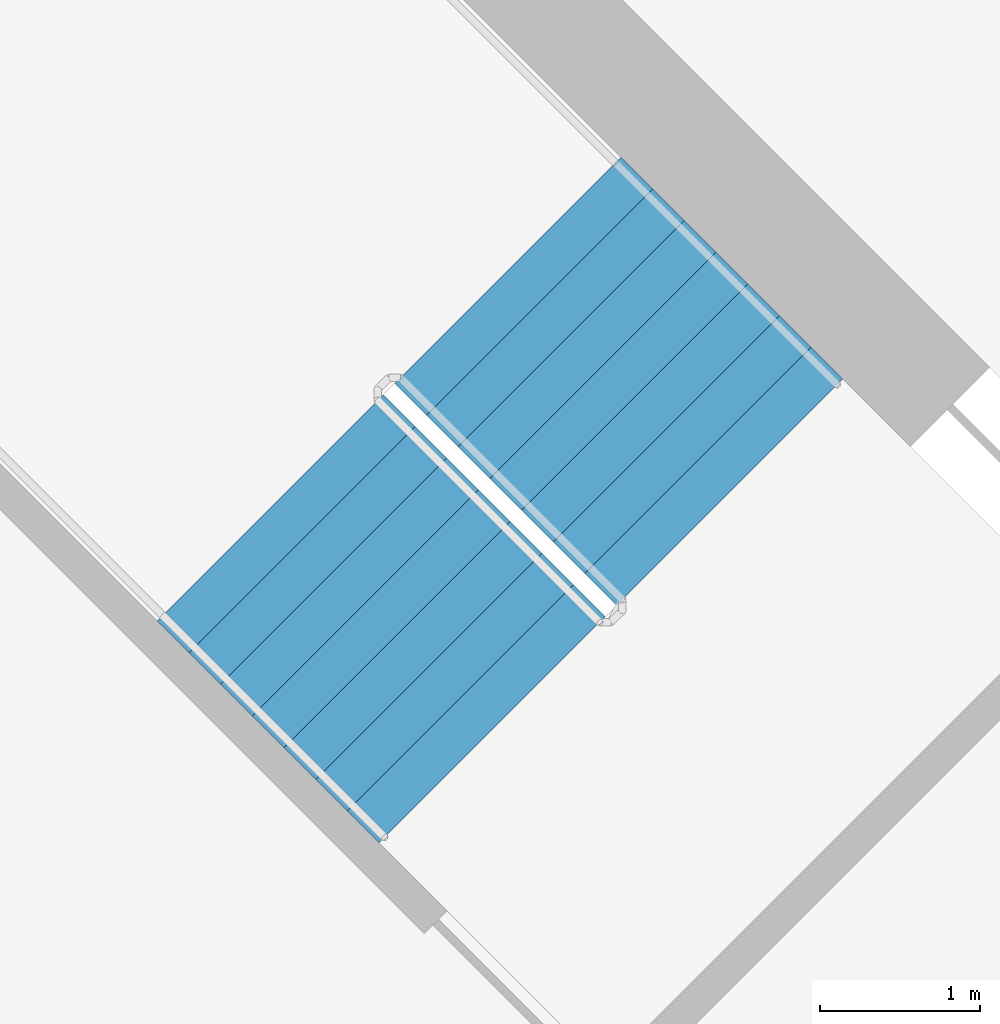
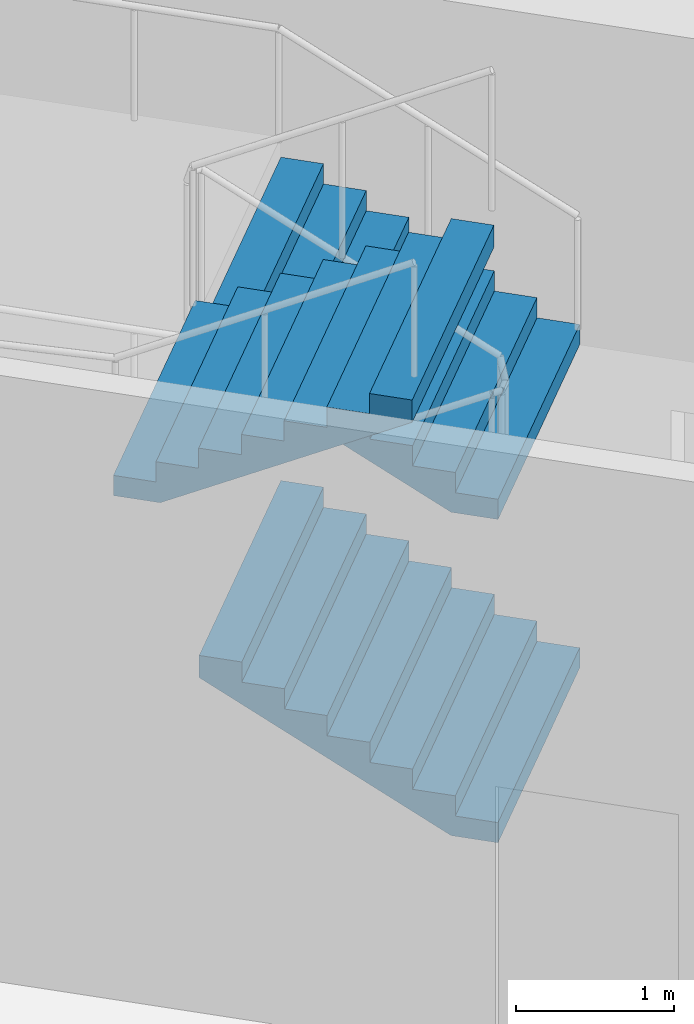
# One storey, part 15 of 17: 3 stair flights, 1 element without a shape of its own.
"""IFC4 building model written with IfcOpenShell, lengths in metres."""

from ifc_helpers import new_model, si_unit, direction, frame, origin, place, context, subcontext, project, spatial, triangles, material, type_object, element, aggregate, save


model = new_model("IFC4")

# Units and contexts
model_context = context("Model", 3, precision=1e-05, world=origin(), true_north=direction((0.0, 1.0)))
body_context = subcontext(model_context, "Body", "Model", "MODEL_VIEW")
ifc_project = project(units=[si_unit("LENGTHUNIT", "METRE"), si_unit("AREAUNIT", "SQUARE_METRE"), si_unit("VOLUMEUNIT", "CUBIC_METRE"), si_unit("PLANEANGLEUNIT", "RADIAN"), si_unit("MASSUNIT", "GRAM", prefix="KILO")], contexts=[model_context])

# Site, building, storey
site_placement = place(None, origin())
site = spatial("IfcSite", under=ifc_project, at=site_placement, CompositionType="ELEMENT")
building_placement = place(site_placement, origin())
building = spatial("IfcBuilding", under=site, at=building_placement, Name="Verdalira Terraces Hotel", CompositionType="ELEMENT")
storey_placement = place(building_placement, frame((0.0, 0.0, 128.0)))
storey = spatial("IfcBuildingStorey", under=building, at=storey_placement, Name="L30", CompositionType="ELEMENT", Elevation=128.0)

# Stair, stair flights
ifc_material_1 = material(Name="Concrete C40", Category="concrete")
stair_type = type_object("IfcStairType", Name="Core stair 32 risers 2000 mm wide", PredefinedType="HALF_TURN_STAIR", material=ifc_material_1)
stair_placement = place(storey_placement, origin())
stair = element("IfcStair", 1, at=stair_placement, inside=storey, type_object=stair_type, Name="L30 Exit stair ST1", PredefinedType="HALF_TURN_STAIR")
ifc_material_2 = material(Name="Concrete C40", Category="concrete")
stair_flight_type = type_object("IfcStairFlightType", Name="Core stair flight 32 risers 2000 mm wide", PredefinedType="STRAIGHT", material=ifc_material_2)
stair_flight_1_placement = place(storey_placement, frame((10.041016, 7.354004, 0.0), z_axis=(0.0, 0.0, 1.0), x_axis=(-0.707106781, 0.707106781, 0.0)))
stair_flight_1 = element("IfcStairFlight", 2, at=stair_flight_1_placement, type_object=stair_flight_type, Name="ST1 flight 1", NumberOfRisers=8, NumberOfTreads=7, PredefinedType="STRAIGHT", RiserHeight=0.15625, TreadLength=0.28, context=body_context, shape_type="Tessellation", body=[
    triangles([(0.0, 1.0, 0.0), (0.307617, 1.0, 0.0), (1.959961, 1.0, 0.922119), (0.0, -1.0, 0.0), (0.307617, -1.0, 0.0), (1.959961, -1.0, 0.922119), (1.959961, 1.0, 1.09375), (1.679932, 1.0, 1.09375), (1.959961, -1.0, 1.09375), (1.679932, -1.0, 1.09375), (1.679932, 1.0, 0.9375), (1.679932, -1.0, 0.9375), (1.399902, 1.0, 0.9375), (1.399902, -1.0, 0.9375), (1.399902, 1.0, 0.78125), (1.399902, -1.0, 0.78125), (1.120117, 1.0, 0.78125), (1.120117, 1.0, 0.625), (1.120117, -1.0, 0.78125), (1.120117, -1.0, 0.625), (0.840088, 1.0, 0.625), (0.840088, 1.0, 0.46875), (0.840088, -1.0, 0.625), (0.840088, -1.0, 0.46875), (0.560059, 1.0, 0.46875), (0.560059, 1.0, 0.3125), (0.560059, -1.0, 0.46875), (0.560059, -1.0, 0.3125), (0.280029, 1.0, 0.3125), (0.280029, 1.0, 0.15625), (0.280029, -1.0, 0.3125), (0.280029, -1.0, 0.15625), (0.0, 1.0, 0.15625), (0.0, -1.0, 0.15625), (0.0, -0.9375, 0.0), (0.0, -0.9375, 0.15625), (0.0, -0.875, 0.0), (0.0, -0.875, 0.15625), (0.0, -0.8125, 0.0), (0.0, -0.8125, 0.15625), (0.0, -0.75, 0.0), (0.0, -0.75, 0.15625), (0.0, -0.6875, 0.0), (0.0, -0.6875, 0.15625), (0.0, -0.625, 0.0), (0.0, -0.625, 0.15625), (0.0, -0.5625, 0.0), (0.0, -0.5625, 0.15625), (0.0, -0.5, 0.0), (0.0, -0.5, 0.15625), (0.0, -0.4375, 0.0), (0.0, -0.4375, 0.15625), (0.0, -0.375, 0.0), (0.0, -0.375, 0.15625), (0.0, -0.3125, 0.0), (0.0, -0.3125, 0.15625), (0.0, -0.25, 0.0), (0.0, -0.25, 0.15625), (0.0, -0.1875, 0.0), (0.0, -0.1875, 0.15625), (0.0, -0.125, 0.0), (0.0, -0.125, 0.15625), (0.0, -0.0625, 0.0), (0.0, -0.0625, 0.15625), (0.0, 0.0, 0.0), (0.0, 0.0, 0.15625), (0.0, 0.0625, 0.0), (0.0, 0.0625, 0.15625), (0.0, 0.125, 0.0), (0.0, 0.125, 0.15625), (0.0, 0.1875, 0.0), (0.0, 0.1875, 0.15625), (0.0, 0.25, 0.0), (0.0, 0.25, 0.15625), (0.0, 0.3125, 0.0), (0.0, 0.3125, 0.15625), (0.0, 0.375, 0.0), (0.0, 0.375, 0.15625), (0.0, 0.4375, 0.0), (0.0, 0.4375, 0.15625), (0.0, 0.5, 0.0), (0.0, 0.5, 0.15625), (0.0, 0.5625, 0.0), (0.0, 0.5625, 0.15625), (0.0, 0.625, 0.0), (0.0, 0.625, 0.15625), (0.0, 0.6875, 0.0), (0.0, 0.6875, 0.15625), (0.0, 0.75, 0.0), (0.0, 0.75, 0.15625), (0.0, 0.8125, 0.0), (0.0, 0.8125, 0.15625), (0.0, 0.875, 0.0), (0.0, 0.875, 0.15625), (0.0, 0.9375, 0.0), (0.0, 0.9375, 0.15625), (1.959961, -0.9375, 1.09375), (1.959961, -0.875, 1.09375), (1.959961, -0.8125, 1.09375), (1.959961, -0.75, 1.09375), (1.959961, -0.6875, 1.09375), (1.959961, -0.625, 1.09375), (1.959961, -0.5625, 1.09375), (1.959961, -0.5, 1.09375), (1.959961, -0.4375, 1.09375), (1.959961, -0.375, 1.09375), (1.959961, -0.3125, 1.09375), (1.959961, -0.25, 1.09375), (1.959961, -0.1875, 1.09375), (1.959961, -0.125, 1.09375), (1.959961, -0.0625, 1.09375), (1.959961, 0.0, 1.09375), (1.959961, 0.0625, 1.09375), (1.959961, 0.125, 1.09375), (1.959961, 0.1875, 1.09375), (1.959961, 0.25, 1.09375), (1.959961, 0.3125, 1.09375), (1.959961, 0.375, 1.09375), (1.959961, 0.4375, 1.09375), (1.959961, 0.5, 1.09375), (1.959961, 0.5625, 1.09375), (1.959961, 0.625, 1.09375), (1.959961, 0.6875, 1.09375), (1.959961, 0.75, 1.09375), (1.959961, 0.8125, 1.09375), (1.959961, 0.875, 1.09375), (1.959961, 0.9375, 1.09375), (1.959961, -0.9375, 0.922119), (1.959961, -0.875, 0.922119), (1.959961, -0.8125, 0.922119), (1.959961, -0.75, 0.922119), (1.959961, -0.6875, 0.922119), (1.959961, -0.625, 0.922119), (1.959961, -0.5625, 0.922119), (1.959961, -0.5, 0.922119), (1.959961, -0.4375, 0.922119), (1.959961, -0.375, 0.922119), (1.959961, -0.3125, 0.922119), (1.959961, -0.25, 0.922119), (1.959961, -0.1875, 0.922119), (1.959961, -0.125, 0.922119), (1.959961, -0.0625, 0.922119), (1.959961, 0.0, 0.922119), (1.959961, 0.0625, 0.922119), (1.959961, 0.125, 0.922119), (1.959961, 0.1875, 0.922119), (1.959961, 0.25, 0.922119), (1.959961, 0.3125, 0.922119), (1.959961, 0.375, 0.922119), (1.959961, 0.4375, 0.922119), (1.959961, 0.5, 0.922119), (1.959961, 0.5625, 0.922119), (1.959961, 0.625, 0.922119), (1.959961, 0.6875, 0.922119), (1.959961, 0.75, 0.922119), (1.959961, 0.8125, 0.922119), (1.959961, 0.875, 0.922119), (1.959961, 0.9375, 0.922119)], [[1, 3, 2], [4, 5, 6], [3, 8, 7], [6, 9, 10], [3, 11, 8], [6, 10, 12], [3, 13, 11], [6, 12, 14], [3, 15, 13], [6, 14, 16], [15, 18, 17], [16, 19, 20], [3, 18, 15], [6, 16, 20], [18, 22, 21], [20, 23, 24], [3, 22, 18], [6, 20, 24], [22, 26, 25], [24, 27, 28], [3, 26, 22], [6, 24, 28], [26, 30, 29], [28, 31, 32], [3, 30, 26], [6, 28, 32], [1, 30, 3], [4, 6, 32], [30, 1, 33], [32, 34, 4], [4, 36, 35], [4, 34, 36], [35, 38, 37], [35, 36, 38], [37, 40, 39], [37, 38, 40], [39, 42, 41], [39, 40, 42], [41, 44, 43], [41, 42, 44], [43, 46, 45], [43, 44, 46], [45, 48, 47], [45, 46, 48], [47, 50, 49], [47, 48, 50], [49, 52, 51], [49, 50, 52], [51, 54, 53], [51, 52, 54], [53, 56, 55], [53, 54, 56], [55, 58, 57], [55, 56, 58], [57, 60, 59], [57, 58, 60], [59, 62, 61], [59, 60, 62], [61, 64, 63], [61, 62, 64], [63, 66, 65], [63, 64, 66], [65, 68, 67], [65, 66, 68], [67, 70, 69], [67, 68, 70], [69, 72, 71], [69, 70, 72], [71, 74, 73], [71, 72, 74], [73, 76, 75], [73, 74, 76], [75, 78, 77], [75, 76, 78], [77, 80, 79], [77, 78, 80], [79, 82, 81], [79, 80, 82], [81, 84, 83], [81, 82, 84], [83, 86, 85], [83, 84, 86], [85, 88, 87], [85, 86, 88], [87, 90, 89], [87, 88, 90], [89, 92, 91], [89, 90, 92], [91, 94, 93], [91, 92, 94], [93, 96, 95], [93, 94, 96], [95, 33, 1], [95, 96, 33], [34, 32, 36], [36, 32, 38], [38, 32, 40], [40, 32, 42], [42, 32, 44], [44, 32, 46], [46, 32, 48], [48, 32, 50], [50, 32, 52], [52, 32, 54], [54, 32, 56], [56, 32, 58], [58, 32, 60], [60, 32, 62], [62, 32, 64], [64, 32, 66], [66, 32, 68], [68, 32, 70], [70, 32, 72], [72, 32, 74], [74, 32, 76], [76, 32, 78], [78, 32, 80], [80, 32, 82], [82, 32, 84], [84, 32, 86], [86, 32, 88], [88, 32, 90], [90, 32, 92], [92, 32, 94], [94, 32, 96], [96, 32, 33], [33, 32, 30], [32, 29, 30], [32, 31, 29], [31, 26, 29], [31, 28, 26], [28, 25, 26], [28, 27, 25], [27, 22, 25], [27, 24, 22], [24, 21, 22], [24, 23, 21], [23, 18, 21], [23, 20, 18], [20, 17, 18], [20, 19, 17], [19, 15, 17], [19, 16, 15], [16, 13, 15], [16, 14, 13], [14, 11, 13], [14, 12, 11], [12, 8, 11], [12, 10, 8], [9, 97, 10], [97, 98, 10], [98, 99, 10], [99, 100, 10], [100, 101, 10], [101, 102, 10], [102, 103, 10], [103, 104, 10], [104, 105, 10], [105, 106, 10], [106, 107, 10], [107, 108, 10], [108, 109, 10], [109, 110, 10], [110, 111, 10], [111, 112, 10], [112, 113, 10], [113, 114, 10], [114, 115, 10], [115, 116, 10], [116, 117, 10], [117, 118, 10], [118, 119, 10], [119, 120, 10], [120, 121, 10], [121, 122, 10], [122, 123, 10], [123, 124, 10], [124, 125, 10], [125, 126, 10], [126, 127, 10], [127, 7, 10], [7, 8, 10], [9, 128, 97], [9, 6, 128], [97, 129, 98], [97, 128, 129], [98, 130, 99], [98, 129, 130], [99, 131, 100], [99, 130, 131], [100, 132, 101], [100, 131, 132], [101, 133, 102], [101, 132, 133], [102, 134, 103], [102, 133, 134], [103, 135, 104], [103, 134, 135], [104, 136, 105], [104, 135, 136], [105, 137, 106], [105, 136, 137], [106, 138, 107], [106, 137, 138], [107, 139, 108], [107, 138, 139], [108, 140, 109], [108, 139, 140], [109, 141, 110], [109, 140, 141], [110, 142, 111], [110, 141, 142], [111, 143, 112], [111, 142, 143], [112, 144, 113], [112, 143, 144], [113, 145, 114], [113, 144, 145], [114, 146, 115], [114, 145, 146], [115, 147, 116], [115, 146, 147], [116, 148, 117], [116, 147, 148], [117, 149, 118], [117, 148, 149], [118, 150, 119], [118, 149, 150], [119, 151, 120], [119, 150, 151], [120, 152, 121], [120, 151, 152], [121, 153, 122], [121, 152, 153], [122, 154, 123], [122, 153, 154], [123, 155, 124], [123, 154, 155], [124, 156, 125], [124, 155, 156], [125, 157, 126], [125, 156, 157], [126, 158, 127], [126, 157, 158], [127, 3, 7], [127, 158, 3], [6, 5, 128], [128, 5, 129], [129, 5, 130], [130, 5, 131], [131, 5, 132], [132, 5, 133], [133, 5, 134], [134, 5, 135], [135, 5, 136], [136, 5, 137], [137, 5, 138], [138, 5, 139], [139, 5, 140], [140, 5, 141], [141, 5, 142], [142, 5, 143], [143, 5, 144], [144, 5, 145], [145, 5, 146], [146, 5, 147], [147, 5, 148], [148, 5, 149], [149, 5, 150], [150, 5, 151], [151, 5, 152], [152, 5, 153], [153, 5, 154], [154, 5, 155], [155, 5, 156], [156, 5, 157], [157, 5, 158], [158, 5, 3], [3, 5, 2], [4, 35, 5], [35, 37, 5], [37, 39, 5], [39, 41, 5], [41, 43, 5], [43, 45, 5], [45, 47, 5], [47, 49, 5], [49, 51, 5], [51, 53, 5], [53, 55, 5], [55, 57, 5], [57, 59, 5], [59, 61, 5], [61, 63, 5], [63, 65, 5], [65, 67, 5], [67, 69, 5], [69, 71, 5], [71, 73, 5], [73, 75, 5], [75, 77, 5], [77, 79, 5], [79, 81, 5], [81, 83, 5], [83, 85, 5], [85, 87, 5], [87, 89, 5], [89, 91, 5], [91, 93, 5], [93, 95, 5], [95, 1, 5], [1, 2, 5]], closed=True),
])
stair_flight_2_placement = place(storey_placement, frame((10.041016, 7.354004, 2.5), z_axis=(0.0, 0.0, 1.0), x_axis=(-0.707106781, 0.707106781, 0.0)))
stair_flight_2 = element("IfcStairFlight", 3, at=stair_flight_2_placement, type_object=stair_flight_type, Name="ST1 flight 3", NumberOfRisers=8, NumberOfTreads=7, PredefinedType="STRAIGHT", RiserHeight=0.15625, TreadLength=0.28, context=body_context, shape_type="Tessellation", body=[
    triangles([(0.0, 1.0, 0.0), (0.307617, 1.0, 0.0), (1.959961, 1.0, 0.922119), (0.0, -1.0, 0.0), (0.307617, -1.0, 0.0), (1.959961, -1.0, 0.922119), (1.959961, 1.0, 1.09375), (1.679932, 1.0, 1.09375), (1.959961, -1.0, 1.09375), (1.679932, -1.0, 1.09375), (1.679932, 1.0, 0.9375), (1.679932, -1.0, 0.9375), (1.399902, 1.0, 0.9375), (1.399902, -1.0, 0.9375), (1.399902, 1.0, 0.78125), (1.399902, -1.0, 0.78125), (1.120117, 1.0, 0.78125), (1.120117, 1.0, 0.625), (1.120117, -1.0, 0.78125), (1.120117, -1.0, 0.625), (0.840088, 1.0, 0.625), (0.840088, 1.0, 0.46875), (0.840088, -1.0, 0.625), (0.840088, -1.0, 0.46875), (0.560059, 1.0, 0.46875), (0.560059, 1.0, 0.3125), (0.560059, -1.0, 0.46875), (0.560059, -1.0, 0.3125), (0.280029, 1.0, 0.3125), (0.280029, 1.0, 0.15625), (0.280029, -1.0, 0.3125), (0.280029, -1.0, 0.15625), (0.0, 1.0, 0.15625), (0.0, -1.0, 0.15625), (0.0, -0.9375, 0.0), (0.0, -0.9375, 0.15625), (0.0, -0.875, 0.0), (0.0, -0.875, 0.15625), (0.0, -0.8125, 0.0), (0.0, -0.8125, 0.15625), (0.0, -0.75, 0.0), (0.0, -0.75, 0.15625), (0.0, -0.6875, 0.0), (0.0, -0.6875, 0.15625), (0.0, -0.625, 0.0), (0.0, -0.625, 0.15625), (0.0, -0.5625, 0.0), (0.0, -0.5625, 0.15625), (0.0, -0.5, 0.0), (0.0, -0.5, 0.15625), (0.0, -0.4375, 0.0), (0.0, -0.4375, 0.15625), (0.0, -0.375, 0.0), (0.0, -0.375, 0.15625), (0.0, -0.3125, 0.0), (0.0, -0.3125, 0.15625), (0.0, -0.25, 0.0), (0.0, -0.25, 0.15625), (0.0, -0.1875, 0.0), (0.0, -0.1875, 0.15625), (0.0, -0.125, 0.0), (0.0, -0.125, 0.15625), (0.0, -0.0625, 0.0), (0.0, -0.0625, 0.15625), (0.0, 0.0, 0.0), (0.0, 0.0, 0.15625), (0.0, 0.0625, 0.0), (0.0, 0.0625, 0.15625), (0.0, 0.125, 0.0), (0.0, 0.125, 0.15625), (0.0, 0.1875, 0.0), (0.0, 0.1875, 0.15625), (0.0, 0.25, 0.0), (0.0, 0.25, 0.15625), (0.0, 0.3125, 0.0), (0.0, 0.3125, 0.15625), (0.0, 0.375, 0.0), (0.0, 0.375, 0.15625), (0.0, 0.4375, 0.0), (0.0, 0.4375, 0.15625), (0.0, 0.5, 0.0), (0.0, 0.5, 0.15625), (0.0, 0.5625, 0.0), (0.0, 0.5625, 0.15625), (0.0, 0.625, 0.0), (0.0, 0.625, 0.15625), (0.0, 0.6875, 0.0), (0.0, 0.6875, 0.15625), (0.0, 0.75, 0.0), (0.0, 0.75, 0.15625), (0.0, 0.8125, 0.0), (0.0, 0.8125, 0.15625), (0.0, 0.875, 0.0), (0.0, 0.875, 0.15625), (0.0, 0.9375, 0.0), (0.0, 0.9375, 0.15625), (1.959961, -0.9375, 1.09375), (1.959961, -0.875, 1.09375), (1.959961, -0.8125, 1.09375), (1.959961, -0.75, 1.09375), (1.959961, -0.6875, 1.09375), (1.959961, -0.625, 1.09375), (1.959961, -0.5625, 1.09375), (1.959961, -0.5, 1.09375), (1.959961, -0.4375, 1.09375), (1.959961, -0.375, 1.09375), (1.959961, -0.3125, 1.09375), (1.959961, -0.25, 1.09375), (1.959961, -0.1875, 1.09375), (1.959961, -0.125, 1.09375), (1.959961, -0.0625, 1.09375), (1.959961, 0.0, 1.09375), (1.959961, 0.0625, 1.09375), (1.959961, 0.125, 1.09375), (1.959961, 0.1875, 1.09375), (1.959961, 0.25, 1.09375), (1.959961, 0.3125, 1.09375), (1.959961, 0.375, 1.09375), (1.959961, 0.4375, 1.09375), (1.959961, 0.5, 1.09375), (1.959961, 0.5625, 1.09375), (1.959961, 0.625, 1.09375), (1.959961, 0.6875, 1.09375), (1.959961, 0.75, 1.09375), (1.959961, 0.8125, 1.09375), (1.959961, 0.875, 1.09375), (1.959961, 0.9375, 1.09375), (1.959961, -0.9375, 0.922119), (1.959961, -0.875, 0.922119), (1.959961, -0.8125, 0.922119), (1.959961, -0.75, 0.922119), (1.959961, -0.6875, 0.922119), (1.959961, -0.625, 0.922119), (1.959961, -0.5625, 0.922119), (1.959961, -0.5, 0.922119), (1.959961, -0.4375, 0.922119), (1.959961, -0.375, 0.922119), (1.959961, -0.3125, 0.922119), (1.959961, -0.25, 0.922119), (1.959961, -0.1875, 0.922119), (1.959961, -0.125, 0.922119), (1.959961, -0.0625, 0.922119), (1.959961, 0.0, 0.922119), (1.959961, 0.0625, 0.922119), (1.959961, 0.125, 0.922119), (1.959961, 0.1875, 0.922119), (1.959961, 0.25, 0.922119), (1.959961, 0.3125, 0.922119), (1.959961, 0.375, 0.922119), (1.959961, 0.4375, 0.922119), (1.959961, 0.5, 0.922119), (1.959961, 0.5625, 0.922119), (1.959961, 0.625, 0.922119), (1.959961, 0.6875, 0.922119), (1.959961, 0.75, 0.922119), (1.959961, 0.8125, 0.922119), (1.959961, 0.875, 0.922119), (1.959961, 0.9375, 0.922119)], [[1, 3, 2], [4, 5, 6], [3, 8, 7], [6, 9, 10], [3, 11, 8], [6, 10, 12], [3, 13, 11], [6, 12, 14], [3, 15, 13], [6, 14, 16], [15, 18, 17], [16, 19, 20], [3, 18, 15], [6, 16, 20], [18, 22, 21], [20, 23, 24], [3, 22, 18], [6, 20, 24], [22, 26, 25], [24, 27, 28], [3, 26, 22], [6, 24, 28], [26, 30, 29], [28, 31, 32], [3, 30, 26], [6, 28, 32], [1, 30, 3], [4, 6, 32], [30, 1, 33], [32, 34, 4], [4, 36, 35], [4, 34, 36], [35, 38, 37], [35, 36, 38], [37, 40, 39], [37, 38, 40], [39, 42, 41], [39, 40, 42], [41, 44, 43], [41, 42, 44], [43, 46, 45], [43, 44, 46], [45, 48, 47], [45, 46, 48], [47, 50, 49], [47, 48, 50], [49, 52, 51], [49, 50, 52], [51, 54, 53], [51, 52, 54], [53, 56, 55], [53, 54, 56], [55, 58, 57], [55, 56, 58], [57, 60, 59], [57, 58, 60], [59, 62, 61], [59, 60, 62], [61, 64, 63], [61, 62, 64], [63, 66, 65], [63, 64, 66], [65, 68, 67], [65, 66, 68], [67, 70, 69], [67, 68, 70], [69, 72, 71], [69, 70, 72], [71, 74, 73], [71, 72, 74], [73, 76, 75], [73, 74, 76], [75, 78, 77], [75, 76, 78], [77, 80, 79], [77, 78, 80], [79, 82, 81], [79, 80, 82], [81, 84, 83], [81, 82, 84], [83, 86, 85], [83, 84, 86], [85, 88, 87], [85, 86, 88], [87, 90, 89], [87, 88, 90], [89, 92, 91], [89, 90, 92], [91, 94, 93], [91, 92, 94], [93, 96, 95], [93, 94, 96], [95, 33, 1], [95, 96, 33], [34, 32, 36], [36, 32, 38], [38, 32, 40], [40, 32, 42], [42, 32, 44], [44, 32, 46], [46, 32, 48], [48, 32, 50], [50, 32, 52], [52, 32, 54], [54, 32, 56], [56, 32, 58], [58, 32, 60], [60, 32, 62], [62, 32, 64], [64, 32, 66], [66, 32, 68], [68, 32, 70], [70, 32, 72], [72, 32, 74], [74, 32, 76], [76, 32, 78], [78, 32, 80], [80, 32, 82], [82, 32, 84], [84, 32, 86], [86, 32, 88], [88, 32, 90], [90, 32, 92], [92, 32, 94], [94, 32, 96], [96, 32, 33], [33, 32, 30], [32, 29, 30], [32, 31, 29], [31, 26, 29], [31, 28, 26], [28, 25, 26], [28, 27, 25], [27, 22, 25], [27, 24, 22], [24, 21, 22], [24, 23, 21], [23, 18, 21], [23, 20, 18], [20, 17, 18], [20, 19, 17], [19, 15, 17], [19, 16, 15], [16, 13, 15], [16, 14, 13], [14, 11, 13], [14, 12, 11], [12, 8, 11], [12, 10, 8], [9, 97, 10], [97, 98, 10], [98, 99, 10], [99, 100, 10], [100, 101, 10], [101, 102, 10], [102, 103, 10], [103, 104, 10], [104, 105, 10], [105, 106, 10], [106, 107, 10], [107, 108, 10], [108, 109, 10], [109, 110, 10], [110, 111, 10], [111, 112, 10], [112, 113, 10], [113, 114, 10], [114, 115, 10], [115, 116, 10], [116, 117, 10], [117, 118, 10], [118, 119, 10], [119, 120, 10], [120, 121, 10], [121, 122, 10], [122, 123, 10], [123, 124, 10], [124, 125, 10], [125, 126, 10], [126, 127, 10], [127, 7, 10], [7, 8, 10], [9, 128, 97], [9, 6, 128], [97, 129, 98], [97, 128, 129], [98, 130, 99], [98, 129, 130], [99, 131, 100], [99, 130, 131], [100, 132, 101], [100, 131, 132], [101, 133, 102], [101, 132, 133], [102, 134, 103], [102, 133, 134], [103, 135, 104], [103, 134, 135], [104, 136, 105], [104, 135, 136], [105, 137, 106], [105, 136, 137], [106, 138, 107], [106, 137, 138], [107, 139, 108], [107, 138, 139], [108, 140, 109], [108, 139, 140], [109, 141, 110], [109, 140, 141], [110, 142, 111], [110, 141, 142], [111, 143, 112], [111, 142, 143], [112, 144, 113], [112, 143, 144], [113, 145, 114], [113, 144, 145], [114, 146, 115], [114, 145, 146], [115, 147, 116], [115, 146, 147], [116, 148, 117], [116, 147, 148], [117, 149, 118], [117, 148, 149], [118, 150, 119], [118, 149, 150], [119, 151, 120], [119, 150, 151], [120, 152, 121], [120, 151, 152], [121, 153, 122], [121, 152, 153], [122, 154, 123], [122, 153, 154], [123, 155, 124], [123, 154, 155], [124, 156, 125], [124, 155, 156], [125, 157, 126], [125, 156, 157], [126, 158, 127], [126, 157, 158], [127, 3, 7], [127, 158, 3], [6, 5, 128], [128, 5, 129], [129, 5, 130], [130, 5, 131], [131, 5, 132], [132, 5, 133], [133, 5, 134], [134, 5, 135], [135, 5, 136], [136, 5, 137], [137, 5, 138], [138, 5, 139], [139, 5, 140], [140, 5, 141], [141, 5, 142], [142, 5, 143], [143, 5, 144], [144, 5, 145], [145, 5, 146], [146, 5, 147], [147, 5, 148], [148, 5, 149], [149, 5, 150], [150, 5, 151], [151, 5, 152], [152, 5, 153], [153, 5, 154], [154, 5, 155], [155, 5, 156], [156, 5, 157], [157, 5, 158], [158, 5, 3], [3, 5, 2], [4, 35, 5], [35, 37, 5], [37, 39, 5], [39, 41, 5], [41, 43, 5], [43, 45, 5], [45, 47, 5], [47, 49, 5], [49, 51, 5], [51, 53, 5], [53, 55, 5], [55, 57, 5], [57, 59, 5], [59, 61, 5], [61, 63, 5], [63, 65, 5], [65, 67, 5], [67, 69, 5], [69, 71, 5], [71, 73, 5], [73, 75, 5], [75, 77, 5], [77, 79, 5], [79, 81, 5], [81, 83, 5], [83, 85, 5], [85, 87, 5], [87, 89, 5], [89, 91, 5], [91, 93, 5], [93, 95, 5], [95, 1, 5], [1, 2, 5]], closed=True),
])
stair_flight_3_placement = place(storey_placement, frame((7.170166, 7.254883, 3.75), z_axis=(0.0, 0.0, 1.0), x_axis=(0.707106781, -0.707106781, 0.0)))
stair_flight_3 = element("IfcStairFlight", 4, at=stair_flight_3_placement, type_object=stair_flight_type, Name="ST1 flight 4", NumberOfRisers=8, NumberOfTreads=7, PredefinedType="STRAIGHT", RiserHeight=0.15625, TreadLength=0.28, context=body_context, shape_type="Tessellation", body=[
    triangles([(0.0, 1.0, 0.0), (0.307617, 1.0, 0.0), (1.959961, 1.0, 0.922119), (0.0, -1.0, 0.0), (0.307617, -1.0, 0.0), (1.959961, -1.0, 0.922119), (1.959961, 1.0, 1.09375), (1.679932, 1.0, 1.09375), (1.959961, -1.0, 1.09375), (1.679932, -1.0, 1.09375), (1.679932, 1.0, 0.9375), (1.679932, -1.0, 0.9375), (1.399902, 1.0, 0.9375), (1.399902, -1.0, 0.9375), (1.399902, 1.0, 0.78125), (1.399902, -1.0, 0.78125), (1.120117, 1.0, 0.78125), (1.120117, 1.0, 0.625), (1.120117, -1.0, 0.78125), (1.120117, -1.0, 0.625), (0.840088, 1.0, 0.625), (0.840088, 1.0, 0.46875), (0.840088, -1.0, 0.625), (0.840088, -1.0, 0.46875), (0.560059, 1.0, 0.46875), (0.560059, 1.0, 0.3125), (0.560059, -1.0, 0.46875), (0.560059, -1.0, 0.3125), (0.280029, 1.0, 0.3125), (0.280029, 1.0, 0.15625), (0.280029, -1.0, 0.3125), (0.280029, -1.0, 0.15625), (0.0, 1.0, 0.15625), (0.0, -1.0, 0.15625), (0.0, -0.9375, 0.0), (0.0, -0.9375, 0.15625), (0.0, -0.875, 0.0), (0.0, -0.875, 0.15625), (0.0, -0.8125, 0.0), (0.0, -0.8125, 0.15625), (0.0, -0.75, 0.0), (0.0, -0.75, 0.15625), (0.0, -0.6875, 0.0), (0.0, -0.6875, 0.15625), (0.0, -0.625, 0.0), (0.0, -0.625, 0.15625), (0.0, -0.5625, 0.0), (0.0, -0.5625, 0.15625), (0.0, -0.5, 0.0), (0.0, -0.5, 0.15625), (0.0, -0.4375, 0.0), (0.0, -0.4375, 0.15625), (0.0, -0.375, 0.0), (0.0, -0.375, 0.15625), (0.0, -0.3125, 0.0), (0.0, -0.3125, 0.15625), (0.0, -0.25, 0.0), (0.0, -0.25, 0.15625), (0.0, -0.1875, 0.0), (0.0, -0.1875, 0.15625), (0.0, -0.125, 0.0), (0.0, -0.125, 0.15625), (0.0, -0.0625, 0.0), (0.0, -0.0625, 0.15625), (0.0, 0.0, 0.0), (0.0, 0.0, 0.15625), (0.0, 0.0625, 0.0), (0.0, 0.0625, 0.15625), (0.0, 0.125, 0.0), (0.0, 0.125, 0.15625), (0.0, 0.1875, 0.0), (0.0, 0.1875, 0.15625), (0.0, 0.25, 0.0), (0.0, 0.25, 0.15625), (0.0, 0.3125, 0.0), (0.0, 0.3125, 0.15625), (0.0, 0.375, 0.0), (0.0, 0.375, 0.15625), (0.0, 0.4375, 0.0), (0.0, 0.4375, 0.15625), (0.0, 0.5, 0.0), (0.0, 0.5, 0.15625), (0.0, 0.5625, 0.0), (0.0, 0.5625, 0.15625), (0.0, 0.625, 0.0), (0.0, 0.625, 0.15625), (0.0, 0.6875, 0.0), (0.0, 0.6875, 0.15625), (0.0, 0.75, 0.0), (0.0, 0.75, 0.15625), (0.0, 0.8125, 0.0), (0.0, 0.8125, 0.15625), (0.0, 0.875, 0.0), (0.0, 0.875, 0.15625), (0.0, 0.9375, 0.0), (0.0, 0.9375, 0.15625), (1.959961, -0.9375, 1.09375), (1.959961, -0.875, 1.09375), (1.959961, -0.8125, 1.09375), (1.959961, -0.75, 1.09375), (1.959961, -0.6875, 1.09375), (1.959961, -0.625, 1.09375), (1.959961, -0.5625, 1.09375), (1.959961, -0.5, 1.09375), (1.959961, -0.4375, 1.09375), (1.959961, -0.375, 1.09375), (1.959961, -0.3125, 1.09375), (1.959961, -0.25, 1.09375), (1.959961, -0.1875, 1.09375), (1.959961, -0.125, 1.09375), (1.959961, -0.0625, 1.09375), (1.959961, 0.0, 1.09375), (1.959961, 0.0625, 1.09375), (1.959961, 0.125, 1.09375), (1.959961, 0.1875, 1.09375), (1.959961, 0.25, 1.09375), (1.959961, 0.3125, 1.09375), (1.959961, 0.375, 1.09375), (1.959961, 0.4375, 1.09375), (1.959961, 0.5, 1.09375), (1.959961, 0.5625, 1.09375), (1.959961, 0.625, 1.09375), (1.959961, 0.6875, 1.09375), (1.959961, 0.75, 1.09375), (1.959961, 0.8125, 1.09375), (1.959961, 0.875, 1.09375), (1.959961, 0.9375, 1.09375), (1.959961, -0.9375, 0.922119), (1.959961, -0.875, 0.922119), (1.959961, -0.8125, 0.922119), (1.959961, -0.75, 0.922119), (1.959961, -0.6875, 0.922119), (1.959961, -0.625, 0.922119), (1.959961, -0.5625, 0.922119), (1.959961, -0.5, 0.922119), (1.959961, -0.4375, 0.922119), (1.959961, -0.375, 0.922119), (1.959961, -0.3125, 0.922119), (1.959961, -0.25, 0.922119), (1.959961, -0.1875, 0.922119), (1.959961, -0.125, 0.922119), (1.959961, -0.0625, 0.922119), (1.959961, 0.0, 0.922119), (1.959961, 0.0625, 0.922119), (1.959961, 0.125, 0.922119), (1.959961, 0.1875, 0.922119), (1.959961, 0.25, 0.922119), (1.959961, 0.3125, 0.922119), (1.959961, 0.375, 0.922119), (1.959961, 0.4375, 0.922119), (1.959961, 0.5, 0.922119), (1.959961, 0.5625, 0.922119), (1.959961, 0.625, 0.922119), (1.959961, 0.6875, 0.922119), (1.959961, 0.75, 0.922119), (1.959961, 0.8125, 0.922119), (1.959961, 0.875, 0.922119), (1.959961, 0.9375, 0.922119)], [[1, 3, 2], [4, 5, 6], [3, 8, 7], [6, 9, 10], [3, 11, 8], [6, 10, 12], [3, 13, 11], [6, 12, 14], [3, 15, 13], [6, 14, 16], [15, 18, 17], [16, 19, 20], [3, 18, 15], [6, 16, 20], [18, 22, 21], [20, 23, 24], [3, 22, 18], [6, 20, 24], [22, 26, 25], [24, 27, 28], [3, 26, 22], [6, 24, 28], [26, 30, 29], [28, 31, 32], [3, 30, 26], [6, 28, 32], [1, 30, 3], [4, 6, 32], [30, 1, 33], [32, 34, 4], [4, 36, 35], [4, 34, 36], [35, 38, 37], [35, 36, 38], [37, 40, 39], [37, 38, 40], [39, 42, 41], [39, 40, 42], [41, 44, 43], [41, 42, 44], [43, 46, 45], [43, 44, 46], [45, 48, 47], [45, 46, 48], [47, 50, 49], [47, 48, 50], [49, 52, 51], [49, 50, 52], [51, 54, 53], [51, 52, 54], [53, 56, 55], [53, 54, 56], [55, 58, 57], [55, 56, 58], [57, 60, 59], [57, 58, 60], [59, 62, 61], [59, 60, 62], [61, 64, 63], [61, 62, 64], [63, 66, 65], [63, 64, 66], [65, 68, 67], [65, 66, 68], [67, 70, 69], [67, 68, 70], [69, 72, 71], [69, 70, 72], [71, 74, 73], [71, 72, 74], [73, 76, 75], [73, 74, 76], [75, 78, 77], [75, 76, 78], [77, 80, 79], [77, 78, 80], [79, 82, 81], [79, 80, 82], [81, 84, 83], [81, 82, 84], [83, 86, 85], [83, 84, 86], [85, 88, 87], [85, 86, 88], [87, 90, 89], [87, 88, 90], [89, 92, 91], [89, 90, 92], [91, 94, 93], [91, 92, 94], [93, 96, 95], [93, 94, 96], [95, 33, 1], [95, 96, 33], [34, 32, 36], [36, 32, 38], [38, 32, 40], [40, 32, 42], [42, 32, 44], [44, 32, 46], [46, 32, 48], [48, 32, 50], [50, 32, 52], [52, 32, 54], [54, 32, 56], [56, 32, 58], [58, 32, 60], [60, 32, 62], [62, 32, 64], [64, 32, 66], [66, 32, 68], [68, 32, 70], [70, 32, 72], [72, 32, 74], [74, 32, 76], [76, 32, 78], [78, 32, 80], [80, 32, 82], [82, 32, 84], [84, 32, 86], [86, 32, 88], [88, 32, 90], [90, 32, 92], [92, 32, 94], [94, 32, 96], [96, 32, 33], [33, 32, 30], [32, 29, 30], [32, 31, 29], [31, 26, 29], [31, 28, 26], [28, 25, 26], [28, 27, 25], [27, 22, 25], [27, 24, 22], [24, 21, 22], [24, 23, 21], [23, 18, 21], [23, 20, 18], [20, 17, 18], [20, 19, 17], [19, 15, 17], [19, 16, 15], [16, 13, 15], [16, 14, 13], [14, 11, 13], [14, 12, 11], [12, 8, 11], [12, 10, 8], [9, 97, 10], [97, 98, 10], [98, 99, 10], [99, 100, 10], [100, 101, 10], [101, 102, 10], [102, 103, 10], [103, 104, 10], [104, 105, 10], [105, 106, 10], [106, 107, 10], [107, 108, 10], [108, 109, 10], [109, 110, 10], [110, 111, 10], [111, 112, 10], [112, 113, 10], [113, 114, 10], [114, 115, 10], [115, 116, 10], [116, 117, 10], [117, 118, 10], [118, 119, 10], [119, 120, 10], [120, 121, 10], [121, 122, 10], [122, 123, 10], [123, 124, 10], [124, 125, 10], [125, 126, 10], [126, 127, 10], [127, 7, 10], [7, 8, 10], [9, 128, 97], [9, 6, 128], [97, 129, 98], [97, 128, 129], [98, 130, 99], [98, 129, 130], [99, 131, 100], [99, 130, 131], [100, 132, 101], [100, 131, 132], [101, 133, 102], [101, 132, 133], [102, 134, 103], [102, 133, 134], [103, 135, 104], [103, 134, 135], [104, 136, 105], [104, 135, 136], [105, 137, 106], [105, 136, 137], [106, 138, 107], [106, 137, 138], [107, 139, 108], [107, 138, 139], [108, 140, 109], [108, 139, 140], [109, 141, 110], [109, 140, 141], [110, 142, 111], [110, 141, 142], [111, 143, 112], [111, 142, 143], [112, 144, 113], [112, 143, 144], [113, 145, 114], [113, 144, 145], [114, 146, 115], [114, 145, 146], [115, 147, 116], [115, 146, 147], [116, 148, 117], [116, 147, 148], [117, 149, 118], [117, 148, 149], [118, 150, 119], [118, 149, 150], [119, 151, 120], [119, 150, 151], [120, 152, 121], [120, 151, 152], [121, 153, 122], [121, 152, 153], [122, 154, 123], [122, 153, 154], [123, 155, 124], [123, 154, 155], [124, 156, 125], [124, 155, 156], [125, 157, 126], [125, 156, 157], [126, 158, 127], [126, 157, 158], [127, 3, 7], [127, 158, 3], [6, 5, 128], [128, 5, 129], [129, 5, 130], [130, 5, 131], [131, 5, 132], [132, 5, 133], [133, 5, 134], [134, 5, 135], [135, 5, 136], [136, 5, 137], [137, 5, 138], [138, 5, 139], [139, 5, 140], [140, 5, 141], [141, 5, 142], [142, 5, 143], [143, 5, 144], [144, 5, 145], [145, 5, 146], [146, 5, 147], [147, 5, 148], [148, 5, 149], [149, 5, 150], [150, 5, 151], [151, 5, 152], [152, 5, 153], [153, 5, 154], [154, 5, 155], [155, 5, 156], [156, 5, 157], [157, 5, 158], [158, 5, 3], [3, 5, 2], [4, 35, 5], [35, 37, 5], [37, 39, 5], [39, 41, 5], [41, 43, 5], [43, 45, 5], [45, 47, 5], [47, 49, 5], [49, 51, 5], [51, 53, 5], [53, 55, 5], [55, 57, 5], [57, 59, 5], [59, 61, 5], [61, 63, 5], [63, 65, 5], [65, 67, 5], [67, 69, 5], [69, 71, 5], [71, 73, 5], [73, 75, 5], [75, 77, 5], [77, 79, 5], [79, 81, 5], [81, 83, 5], [83, 85, 5], [85, 87, 5], [87, 89, 5], [89, 91, 5], [91, 93, 5], [93, 95, 5], [95, 1, 5], [1, 2, 5]], closed=True),
])
aggregate(stair, [stair_flight_1, stair_flight_2, stair_flight_3])

save(model, "model.ifc")
